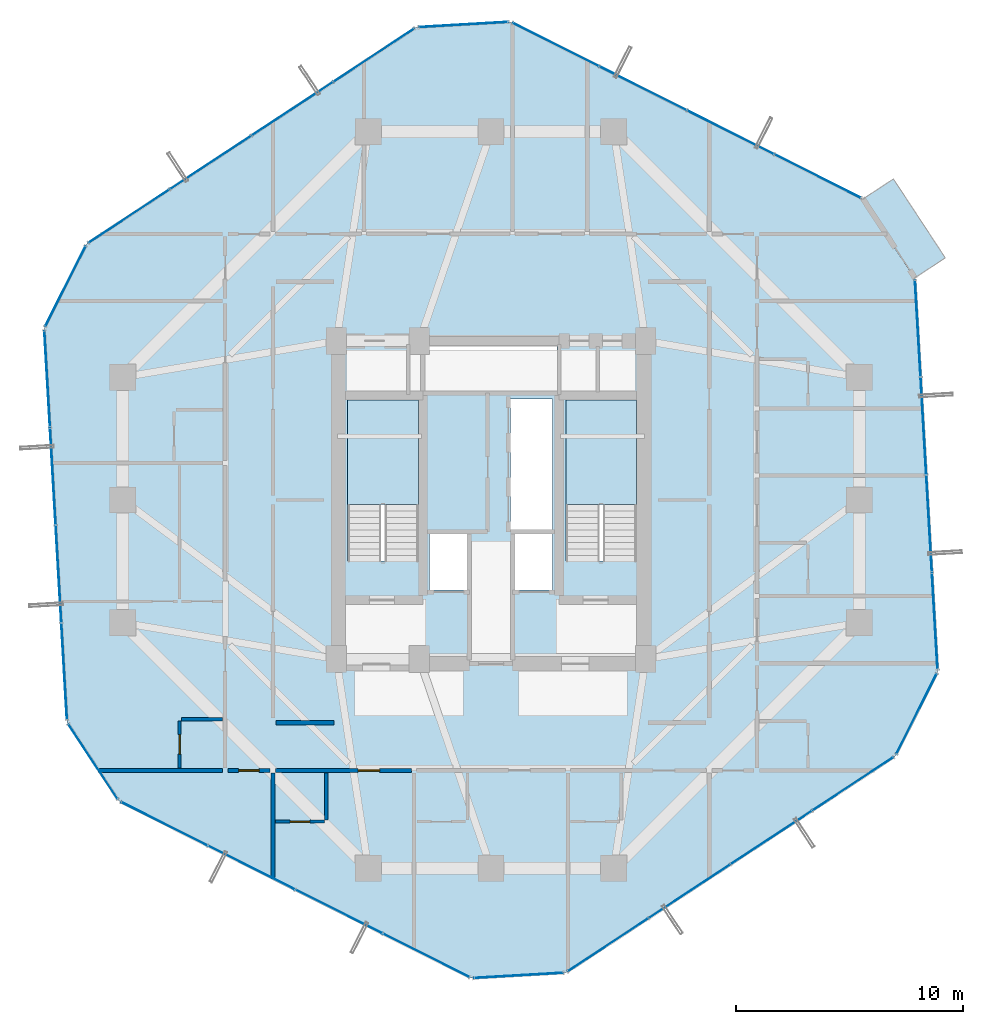
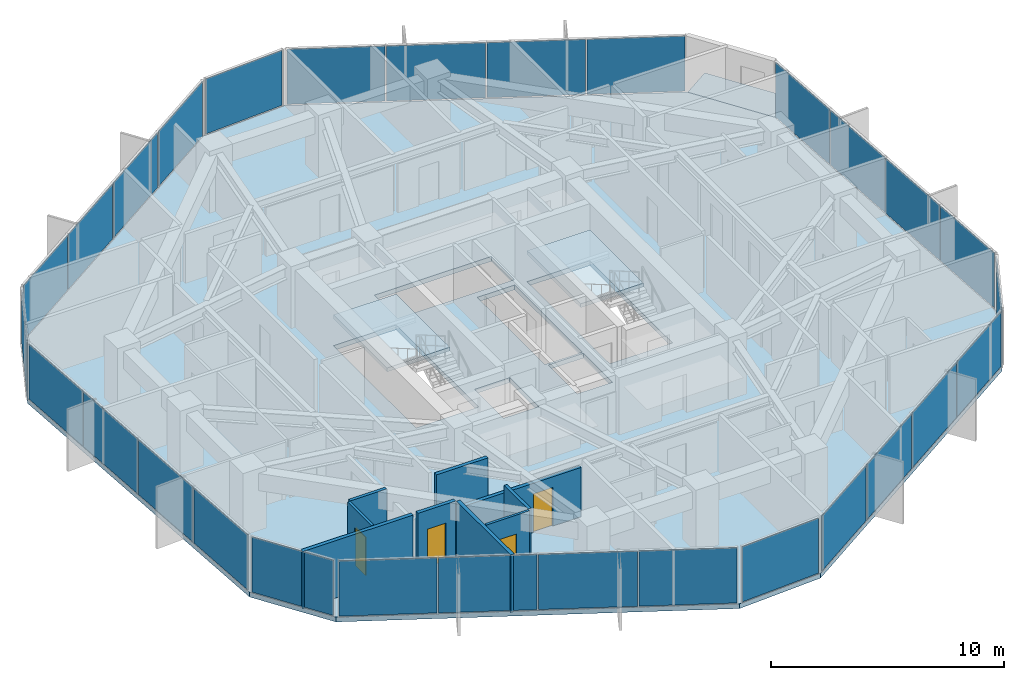
# One storey, part 27 of 33: 29 plates, 9 walls, 4 doors, 4 slabs, 4 openings, 13 elements without a shape of their own.
"""IFC4 building model written with IfcOpenShell, lengths in metres."""

from ifc_helpers import new_model, si_unit, direction, frame, frame_2d, origin, origin_2d, place, context, subcontext, project, spatial, polyline, rectangle, outline, extrude, source, transform, mapped, material, layer, layer_set, type_object, element, fill, aggregate, save


model = new_model("IFC4")

# Units and contexts
model_context = context("Model", 3, precision=1e-05, world=origin(), true_north=direction((0.0, 1.0)))
body_context = subcontext(model_context, "Body", "Model", "MODEL_VIEW")
ifc_project = project(units=[si_unit("LENGTHUNIT", "METRE"), si_unit("AREAUNIT", "SQUARE_METRE"), si_unit("VOLUMEUNIT", "CUBIC_METRE"), si_unit("PLANEANGLEUNIT", "RADIAN"), si_unit("MASSUNIT", "GRAM", prefix="KILO")], contexts=[model_context])

# Site, building, storey
site_placement = place(None, origin())
site = spatial("IfcSite", under=ifc_project, at=site_placement, CompositionType="ELEMENT")
building_placement = place(site_placement, origin())
building = spatial("IfcBuilding", under=site, at=building_placement, Name="Veraguas Prism Commons", CompositionType="ELEMENT")
storey_placement = place(building_placement, frame((0.0, 0.0, 139.25)))
storey = spatial("IfcBuildingStorey", under=building, at=storey_placement, Name="L39", CompositionType="ELEMENT", Elevation=139.25)

# Stair, slab
ifc_material_1 = material(Name="Precast concrete C45/55", Category="concrete")
stair_type = type_object("IfcStairType", Name="Dogleg Core Stair 1480W 20R 05", PredefinedType="HALF_TURN_STAIR", material=ifc_material_1)
stair_1_placement = place(storey_placement, origin())
stair_1 = element("IfcStair", 1, at=stair_1_placement, inside=storey, type_object=stair_type, Name="Protected Exit Stair ST-01 L39", PredefinedType="HALF_TURN_STAIR")
ifc_layer_1 = layer(ifc_material_1, 0.199951171875, Name="Precast Stair and Ramp Landing Slab 200", Category="concrete")
ifc_layer_set_1 = layer_set([ifc_layer_1], Name="Precast concrete C45/55")
slab_type_1 = type_object("IfcSlabType", Name="Precast Stair and Ramp Landing Slab 200", PredefinedType="LANDING", material=ifc_layer_set_1)
slab_1_placement = place(storey_placement, frame((0.0, 0.0, 1.425048828125)))
slab_1 = element("IfcSlab", 2, at=slab_1_placement, type_object=slab_type_1, Name="ST-05 Landing 1", PredefinedType="LANDING", context=body_context, shape_type="SweptSolid", body=[
    extrude(outline(polyline([(20.800048828125, 23.800048828125), (20.800048828125, 28.39990234375), (17.68994140625, 28.39990234375), (17.68994140625, 23.800048828125), (20.800048828125, 23.800048828125)])), origin(), (0.0, 0.0, 1.0), 0.199951171875),
])
aggregate(stair_1, [slab_1])

stair_2_placement = place(storey_placement, origin())
stair_2 = element("IfcStair", 3, at=stair_2_placement, inside=storey, type_object=stair_type, Name="Protected Exit Stair ST-02 L39", PredefinedType="HALF_TURN_STAIR")
slab_2_placement = place(storey_placement, frame((0.0, 0.0, 1.425048828125)))
slab_2 = element("IfcSlab", 4, at=slab_2_placement, type_object=slab_type_1, Name="ST-05 Landing 1", PredefinedType="LANDING", context=body_context, shape_type="SweptSolid", body=[
    extrude(outline(polyline([(30.39990234375, 23.800048828125), (30.39990234375, 28.39990234375), (27.2900390625, 28.39990234375), (27.2900390625, 23.800048828125), (30.39990234375, 23.800048828125)])), origin(), (0.0, 0.0, 1.0), 0.199951171875),
])
aggregate(stair_2, [slab_2])

# Slabs
ifc_material_2 = material(Name="Concrete C45/55", Category="concrete")
ifc_layer_2 = layer(ifc_material_2, 0.219970703125, Name="Recessed Loggia and Terrace Slab RC 220", Category="concrete")
ifc_layer_set_2 = layer_set([ifc_layer_2], Name="Concrete C45/55")
slab_type_2 = type_object("IfcSlabType", Name="Recessed Loggia and Terrace Slab RC 220", PredefinedType="FLOOR", material=ifc_layer_set_2)
slab_3_placement = place(storey_placement, frame((0.0, 0.0, -0.219970703125)))
element("IfcSlab", 5, at=slab_3_placement, inside=storey, type_object=slab_type_2, Name="Recessed Corner Loggia L39-C1", PredefinedType="FLOOR", context=body_context, shape_type="SweptSolid", body=[
    extrude(outline(polyline([(42.631103515625, 33.762451171875), (43.98486328125, 34.65234375), (41.703369140625, 38.122802734375), (40.349609375, 37.23291015625), (42.631103515625, 33.762451171875)])), origin(), (0.0, 0.0, 1.0), 0.219970703125),
])
ifc_layer_3 = layer(ifc_material_2, 0.25, Name="Tower Lower Residential Floor Slab RC 250", Category="concrete")
ifc_layer_set_3 = layer_set([ifc_layer_3], Name="Concrete C45/55")
slab_type_3 = type_object("IfcSlabType", Name="Tower Lower Residential Floor Slab RC 250", PredefinedType="FLOOR", material=ifc_layer_set_3)
slab_4_placement = place(storey_placement, frame((0.0, 0.0, -0.25)))
element("IfcSlab", 6, at=slab_4_placement, inside=storey, type_object=slab_type_3, Name="Tower Floor Slab L39", PredefinedType="FLOOR", context=body_context, shape_type="SweptSolid", body=[
    extrude(outline(polyline([(42.647705078125, 33.7734375), (40.366455078125, 37.243896484375), (24.859619140625, 45.0361328125), (20.713623046875, 44.795654296875), (6.2119140625, 35.2626953125), (4.34716796875, 31.5517578125), (5.352294921875, 14.2265625), (7.633544921875, 10.756103515625), (23.140380859375, 2.9638671875), (27.286376953125, 3.204345703125), (41.7880859375, 12.7373046875), (43.65283203125, 16.4482421875), (42.647705078125, 33.7734375)]), holes=[polyline([(20.800048828125, 21.31005859375), (20.800048828125, 28.39990234375), (17.68994140625, 28.39990234375), (17.68994140625, 21.31005859375), (20.800048828125, 21.31005859375)]), polyline([(30.39990234375, 21.31005859375), (30.39990234375, 28.39990234375), (27.2900390625, 28.39990234375), (27.2900390625, 21.31005859375), (30.39990234375, 21.31005859375)]), polyline([(24.85009765625, 22.64990234375), (26.699951171875, 22.64990234375), (26.699951171875, 28.449951171875), (24.85009765625, 28.449951171875), (24.85009765625, 22.64990234375)]), polyline([(21.10009765625, 28.800048828125), (26.89990234375, 28.800048828125), (26.89990234375, 30.800048828125), (21.10009765625, 30.800048828125), (21.10009765625, 28.800048828125)]), polyline([(21.300048828125, 20.050048828125), (23.050048828125, 20.050048828125), (23.050048828125, 22.550048828125), (21.300048828125, 22.550048828125), (21.300048828125, 20.050048828125)]), polyline([(24.949951171875, 20.050048828125), (26.699951171875, 20.050048828125), (26.699951171875, 22.550048828125), (24.949951171875, 22.550048828125), (24.949951171875, 20.050048828125)])]), origin(), (0.0, 0.0, 1.0), 0.25),
])

# Curtain wall, plates
ifc_material_3 = material(Name="Anodised aluminium EN AW-6063 T6", Category="aluminium")
ifc_layer_4 = layer(ifc_material_3, 0.169921875, Name="Unitised Flush Curtain Wall Zone 2", Category="aluminium")
ifc_layer_set_4 = layer_set([ifc_layer_4], Name="Anodised aluminium EN AW-6063 T6")
curtain_wall_type = type_object("IfcCurtainWallType", Name="Unitised Flush Curtain Wall Zone 2", PredefinedType="NOTDEFINED", material=ifc_layer_set_4)
curtain_wall_1_placement = place(storey_placement, origin())
curtain_wall_1 = element("IfcCurtainWall", 7, at=curtain_wall_1_placement, inside=storey, type_object=curtain_wall_type, Name="Tower Facade Curtain Wall L39-F2", PredefinedType="NOTDEFINED")
ifc_material_4 = material(Name="Laminated low-e glass", Category="glass")
ifc_layer_5 = layer(ifc_material_4, 0.028076171875, Name="Unitised Double Low-E Glazed Panel 28", Category="glass")
ifc_layer_set_5 = layer_set([ifc_layer_5], Name="Laminated low-e glass")
plate_type = type_object("IfcPlateType", Name="Unitised Double Low-E Glazed Panel 28", PredefinedType="CURTAIN_PANEL", material=ifc_layer_set_5)
shared_shape_1 = source(origin(), body_context, "Body", "SweptSolid", [
    extrude(rectangle(XDim=4.218505859375, YDim=0.028076171875, at=origin_2d()), origin(), (0.0, 0.0, 1.0), 2.889892578125),
])
plate_1_placement = place(storey_placement, frame((18.850830078125, 43.571044921875, 0.05517578125), z_axis=(0.0, 0.0, 1.0), x_axis=(-0.835619500254, -0.54930870264, 0.0)))
plate_1 = element("IfcPlate", 8, at=plate_1_placement, type_object=plate_type, Name="CW-Z2 Panel 1.1", PredefinedType="CURTAIN_PANEL", context=body_context, shape_type="MappedRepresentation", body=[
    mapped(shared_shape_1, transform((0.0, 0.0, 0.0), scale=1.0)),
])
plate_2_placement = place(storey_placement, frame((8.07470703125, 36.4873046875, 0.05517578125), z_axis=(0.0, 0.0, 1.0), x_axis=(-0.835619500254, -0.54930870264, 0.0)))
plate_2 = element("IfcPlate", 9, at=plate_2_placement, type_object=plate_type, Name="CW-Z2 Panel 4.1", PredefinedType="CURTAIN_PANEL", context=body_context, shape_type="MappedRepresentation", body=[
    mapped(shared_shape_1, transform((0.0, 0.0, 0.0), scale=1.0)),
])

curtain_wall_2_placement = place(storey_placement, origin())
curtain_wall_2 = element("IfcCurtainWall", 10, at=curtain_wall_2_placement, inside=storey, type_object=curtain_wall_type, Name="Tower Facade Curtain Wall L39-F3", PredefinedType="NOTDEFINED")
plate_3_placement = place(storey_placement, frame((4.476318359375, 29.326171875, 0.05517578125), z_axis=(0.0, 0.0, 1.0), x_axis=(0.05790728328, -0.998321965371, 0.0)))
plate_3 = element("IfcPlate", 11, at=plate_3_placement, type_object=plate_type, Name="CW-Z2 Panel 1.1", PredefinedType="CURTAIN_PANEL", context=body_context, shape_type="MappedRepresentation", body=[
    mapped(shared_shape_1, transform((0.0, 0.0, 0.0), scale=1.0)),
])
plate_4_placement = place(storey_placement, frame((5.22314453125, 16.4521484375, 0.05517578125), z_axis=(0.0, 0.0, 1.0), x_axis=(0.05790728328, -0.998321965371, 0.0)))
plate_4 = element("IfcPlate", 12, at=plate_4_placement, type_object=plate_type, Name="CW-Z2 Panel 4.1", PredefinedType="CURTAIN_PANEL", context=body_context, shape_type="MappedRepresentation", body=[
    mapped(shared_shape_1, transform((0.0, 0.0, 0.0), scale=1.0)),
])

curtain_wall_3_placement = place(storey_placement, origin())
curtain_wall_3 = element("IfcCurtainWall", 13, at=curtain_wall_3_placement, inside=storey, type_object=curtain_wall_type, Name="Tower Facade Curtain Wall L39-F5", PredefinedType="NOTDEFINED")
plate_5_placement = place(storey_placement, frame((29.149169921875, 4.428955078125, 0.05517578125), z_axis=(0.0, 0.0, 1.0), x_axis=(0.835619500254, 0.54930870264, 0.0)))
plate_5 = element("IfcPlate", 14, at=plate_5_placement, type_object=plate_type, Name="CW-Z2 Panel 1.1", PredefinedType="CURTAIN_PANEL", context=body_context, shape_type="MappedRepresentation", body=[
    mapped(shared_shape_1, transform((0.0, 0.0, 0.0), scale=1.0)),
])
plate_6_placement = place(storey_placement, frame((39.92529296875, 11.5126953125, 0.05517578125), z_axis=(0.0, 0.0, 1.0), x_axis=(0.835619500254, 0.54930870264, 0.0)))
plate_6 = element("IfcPlate", 15, at=plate_6_placement, type_object=plate_type, Name="CW-Z2 Panel 4.1", PredefinedType="CURTAIN_PANEL", context=body_context, shape_type="MappedRepresentation", body=[
    mapped(shared_shape_1, transform((0.0, 0.0, 0.0), scale=1.0)),
])

curtain_wall_4_placement = place(storey_placement, origin())
curtain_wall_4 = element("IfcCurtainWall", 16, at=curtain_wall_4_placement, inside=storey, type_object=curtain_wall_type, Name="Tower Facade Curtain Wall L39-F6", PredefinedType="NOTDEFINED")
plate_7_placement = place(storey_placement, frame((43.523681640625, 18.673828125, 0.05517578125), z_axis=(0.0, 0.0, 1.0), x_axis=(-0.05790728328, 0.998321965371, 0.0)))
plate_7 = element("IfcPlate", 17, at=plate_7_placement, type_object=plate_type, Name="CW-Z2 Panel 1.1", PredefinedType="CURTAIN_PANEL", context=body_context, shape_type="MappedRepresentation", body=[
    mapped(shared_shape_1, transform((0.0, 0.0, 0.0), scale=1.0)),
])
plate_8_placement = place(storey_placement, frame((42.77685546875, 31.5478515625, 0.05517578125), z_axis=(0.0, 0.0, 1.0), x_axis=(-0.05790728328, 0.998321965371, 0.0)))
plate_8 = element("IfcPlate", 18, at=plate_8_placement, type_object=plate_type, Name="CW-Z2 Panel 4.1", PredefinedType="CURTAIN_PANEL", context=body_context, shape_type="MappedRepresentation", body=[
    mapped(shared_shape_1, transform((0.0, 0.0, 0.0), scale=1.0)),
])

curtain_wall_5_placement = place(storey_placement, origin())
curtain_wall_5 = element("IfcCurtainWall", 19, at=curtain_wall_5_placement, inside=storey, type_object=curtain_wall_type, Name="Tower Facade Curtain Wall L39-F1", PredefinedType="NOTDEFINED")
shared_shape_2 = source(origin(), body_context, "Body", "SweptSolid", [
    extrude(rectangle(XDim=4.24853515625, YDim=0.028076171875, at=origin_2d()), origin(), (0.0, 0.0, 1.0), 2.889892578125),
])
plate_9_placement = place(storey_placement, frame((34.5380859375, 40.1728515625, 0.05517578125), z_axis=(0.0, 0.0, 1.0), x_axis=(-0.893525824808, 0.449011804301, 0.0)))
plate_9 = element("IfcPlate", 20, at=plate_9_placement, type_object=plate_type, Name="CW-Z2 Panel 2.1", PredefinedType="CURTAIN_PANEL", context=body_context, shape_type="MappedRepresentation", body=[
    mapped(shared_shape_2, transform((0.0, 0.0, 0.0), scale=1.0)),
])
plate_10_placement = place(storey_placement, frame((30.688232421875, 42.107421875, 0.05517578125), z_axis=(0.0, 0.0, 1.0), x_axis=(-0.893525824808, 0.449011804301, 0.0)))
plate_10 = element("IfcPlate", 21, at=plate_10_placement, type_object=plate_type, Name="CW-Z2 Panel 3.1", PredefinedType="CURTAIN_PANEL", context=body_context, shape_type="MappedRepresentation", body=[
    mapped(shared_shape_2, transform((0.0, 0.0, 0.0), scale=1.0)),
])

# Plate
plate_11_placement = place(storey_placement, frame((15.262939453125, 41.212646484375, 0.05517578125), z_axis=(0.0, 0.0, 1.0), x_axis=(-0.835619500254, -0.54930870264, 0.0)))
plate_11 = element("IfcPlate", 22, at=plate_11_placement, type_object=plate_type, Name="CW-Z2 Panel 2.1", PredefinedType="CURTAIN_PANEL", context=body_context, shape_type="MappedRepresentation", body=[
    mapped(shared_shape_2, transform((0.0, 0.0, 0.0), scale=1.0)),
])

plate_12_placement = place(storey_placement, frame((11.66259765625, 38.845703125, 0.05517578125), z_axis=(0.0, 0.0, 1.0), x_axis=(-0.835619500254, -0.54930870264, 0.0)))
plate_12 = element("IfcPlate", 23, at=plate_12_placement, type_object=plate_type, Name="CW-Z2 Panel 3.1", PredefinedType="CURTAIN_PANEL", context=body_context, shape_type="MappedRepresentation", body=[
    mapped(shared_shape_2, transform((0.0, 0.0, 0.0), scale=1.0)),
])

aggregate(curtain_wall_1, [plate_1, plate_11, plate_12, plate_2])

plate_13_placement = place(storey_placement, frame((4.724853515625, 25.039794921875, 0.05517578125), z_axis=(0.0, 0.0, 1.0), x_axis=(0.05790728328, -0.998321965371, 0.0)))
plate_13 = element("IfcPlate", 24, at=plate_13_placement, type_object=plate_type, Name="CW-Z2 Panel 2.1", PredefinedType="CURTAIN_PANEL", context=body_context, shape_type="MappedRepresentation", body=[
    mapped(shared_shape_2, transform((0.0, 0.0, 0.0), scale=1.0)),
])

plate_14_placement = place(storey_placement, frame((4.974365234375, 20.738525390625, 0.05517578125), z_axis=(0.0, 0.0, 1.0), x_axis=(0.05790728328, -0.998321965371, 0.0)))
plate_14 = element("IfcPlate", 25, at=plate_14_placement, type_object=plate_type, Name="CW-Z2 Panel 3.1", PredefinedType="CURTAIN_PANEL", context=body_context, shape_type="MappedRepresentation", body=[
    mapped(shared_shape_2, transform((0.0, 0.0, 0.0), scale=1.0)),
])

aggregate(curtain_wall_2, [plate_3, plate_13, plate_14, plate_4])

# Curtain wall, plates
curtain_wall_6_placement = place(storey_placement, origin())
curtain_wall_6 = element("IfcCurtainWall", 26, at=curtain_wall_6_placement, inside=storey, type_object=curtain_wall_type, Name="Tower Facade Curtain Wall L39-F4", PredefinedType="NOTDEFINED")
plate_15_placement = place(storey_placement, frame((13.4619140625, 7.8271484375, 0.05517578125), z_axis=(0.0, 0.0, 1.0), x_axis=(0.893525824808, -0.449011804301, 0.0)))
plate_15 = element("IfcPlate", 27, at=plate_15_placement, type_object=plate_type, Name="CW-Z2 Panel 2.1", PredefinedType="CURTAIN_PANEL", context=body_context, shape_type="MappedRepresentation", body=[
    mapped(shared_shape_2, transform((0.0, 0.0, 0.0), scale=1.0)),
])
plate_16_placement = place(storey_placement, frame((17.311767578125, 5.892578125, 0.05517578125), z_axis=(0.0, 0.0, 1.0), x_axis=(0.893525824808, -0.449011804301, 0.0)))
plate_16 = element("IfcPlate", 28, at=plate_16_placement, type_object=plate_type, Name="CW-Z2 Panel 3.1", PredefinedType="CURTAIN_PANEL", context=body_context, shape_type="MappedRepresentation", body=[
    mapped(shared_shape_2, transform((0.0, 0.0, 0.0), scale=1.0)),
])

# Plate
plate_17_placement = place(storey_placement, frame((32.737060546875, 6.787353515625, 0.05517578125), z_axis=(0.0, 0.0, 1.0), x_axis=(0.835619500254, 0.54930870264, 0.0)))
plate_17 = element("IfcPlate", 29, at=plate_17_placement, type_object=plate_type, Name="CW-Z2 Panel 2.1", PredefinedType="CURTAIN_PANEL", context=body_context, shape_type="MappedRepresentation", body=[
    mapped(shared_shape_2, transform((0.0, 0.0, 0.0), scale=1.0)),
])

plate_18_placement = place(storey_placement, frame((36.33740234375, 9.154296875, 0.05517578125), z_axis=(0.0, 0.0, 1.0), x_axis=(0.835619500254, 0.54930870264, 0.0)))
plate_18 = element("IfcPlate", 30, at=plate_18_placement, type_object=plate_type, Name="CW-Z2 Panel 3.1", PredefinedType="CURTAIN_PANEL", context=body_context, shape_type="MappedRepresentation", body=[
    mapped(shared_shape_2, transform((0.0, 0.0, 0.0), scale=1.0)),
])

aggregate(curtain_wall_3, [plate_5, plate_17, plate_18, plate_6])

plate_19_placement = place(storey_placement, frame((43.275146484375, 22.960205078125, 0.05517578125), z_axis=(0.0, 0.0, 1.0), x_axis=(-0.05790728328, 0.998321965371, 0.0)))
plate_19 = element("IfcPlate", 31, at=plate_19_placement, type_object=plate_type, Name="CW-Z2 Panel 2.1", PredefinedType="CURTAIN_PANEL", context=body_context, shape_type="MappedRepresentation", body=[
    mapped(shared_shape_2, transform((0.0, 0.0, 0.0), scale=1.0)),
])

plate_20_placement = place(storey_placement, frame((43.025634765625, 27.261474609375, 0.05517578125), z_axis=(0.0, 0.0, 1.0), x_axis=(-0.05790728328, 0.998321965371, 0.0)))
plate_20 = element("IfcPlate", 32, at=plate_20_placement, type_object=plate_type, Name="CW-Z2 Panel 3.1", PredefinedType="CURTAIN_PANEL", context=body_context, shape_type="MappedRepresentation", body=[
    mapped(shared_shape_2, transform((0.0, 0.0, 0.0), scale=1.0)),
])

aggregate(curtain_wall_4, [plate_7, plate_19, plate_20, plate_8])

# Curtain wall, plate
curtain_wall_7_placement = place(storey_placement, origin())
curtain_wall_7 = element("IfcCurtainWall", 33, at=curtain_wall_7_placement, inside=storey, type_object=curtain_wall_type, Name="Chamfer Curtain Wall L39-C2", PredefinedType="NOTDEFINED")
shared_shape_3 = source(origin(), body_context, "Body", "SweptSolid", [
    extrude(rectangle(XDim=3.9130859375, YDim=0.028076171875, at=origin_2d()), origin(), (0.0, 0.0, 1.0), 2.889892578125),
])
plate_21_placement = place(storey_placement, frame((22.78662109375, 44.916015625, 0.05517578125), z_axis=(0.0, 0.0, 1.0), x_axis=(-0.99832257172, -0.057896828874, 0.0)))
plate_21 = element("IfcPlate", 34, at=plate_21_placement, type_object=plate_type, Name="CW-Z2 Panel 1.1", PredefinedType="CURTAIN_PANEL", context=body_context, shape_type="MappedRepresentation", body=[
    mapped(shared_shape_3, transform((0.0, 0.0, 0.0), scale=1.0)),
])
aggregate(curtain_wall_7, [plate_21])

curtain_wall_8_placement = place(storey_placement, origin())
curtain_wall_8 = element("IfcCurtainWall", 35, at=curtain_wall_8_placement, inside=storey, type_object=curtain_wall_type, Name="Chamfer Curtain Wall L39-C4", PredefinedType="NOTDEFINED")
plate_22_placement = place(storey_placement, frame((6.492919921875, 12.4912109375, 0.05517578125), z_axis=(0.0, 0.0, 1.0), x_axis=(0.549298493581, -0.835626211263, 0.0)))
plate_22 = element("IfcPlate", 36, at=plate_22_placement, type_object=plate_type, Name="CW-Z2 Panel 1.1", PredefinedType="CURTAIN_PANEL", context=body_context, shape_type="MappedRepresentation", body=[
    mapped(shared_shape_3, transform((0.0, 0.0, 0.0), scale=1.0)),
])
aggregate(curtain_wall_8, [plate_22])

curtain_wall_9_placement = place(storey_placement, origin())
curtain_wall_9 = element("IfcCurtainWall", 37, at=curtain_wall_9_placement, inside=storey, type_object=curtain_wall_type, Name="Chamfer Curtain Wall L39-C5", PredefinedType="NOTDEFINED")
plate_23_placement = place(storey_placement, frame((25.21337890625, 3.083984375, 0.05517578125), z_axis=(0.0, 0.0, 1.0), x_axis=(0.99832257172, 0.057896828874, 0.0)))
plate_23 = element("IfcPlate", 38, at=plate_23_placement, type_object=plate_type, Name="CW-Z2 Panel 1.1", PredefinedType="CURTAIN_PANEL", context=body_context, shape_type="MappedRepresentation", body=[
    mapped(shared_shape_3, transform((0.0, 0.0, 0.0), scale=1.0)),
])
aggregate(curtain_wall_9, [plate_23])

curtain_wall_10_placement = place(storey_placement, origin())
curtain_wall_10 = element("IfcCurtainWall", 39, at=curtain_wall_10_placement, inside=storey, type_object=curtain_wall_type, Name="Chamfer Curtain Wall L39-C3", PredefinedType="NOTDEFINED")
shared_shape_4 = source(origin(), body_context, "Body", "SweptSolid", [
    extrude(rectangle(XDim=3.913330078125, YDim=0.028076171875, at=origin_2d()), origin(), (0.0, 0.0, 1.0), 2.889892578125),
])
plate_24_placement = place(storey_placement, frame((5.279541015625, 33.4072265625, 0.05517578125), z_axis=(0.0, 0.0, 1.0), x_axis=(-0.449018042277, -0.893522690092, 0.0)))
plate_24 = element("IfcPlate", 40, at=plate_24_placement, type_object=plate_type, Name="CW-Z2 Panel 1.1", PredefinedType="CURTAIN_PANEL", context=body_context, shape_type="MappedRepresentation", body=[
    mapped(shared_shape_4, transform((0.0, 0.0, 0.0), scale=1.0)),
])
aggregate(curtain_wall_10, [plate_24])

curtain_wall_11_placement = place(storey_placement, origin())
curtain_wall_11 = element("IfcCurtainWall", 41, at=curtain_wall_11_placement, inside=storey, type_object=curtain_wall_type, Name="Chamfer Curtain Wall L39-C6", PredefinedType="NOTDEFINED")
plate_25_placement = place(storey_placement, frame((42.720458984375, 14.5927734375, 0.05517578125), z_axis=(0.0, 0.0, 1.0), x_axis=(0.449018042277, 0.893522690092, 0.0)))
plate_25 = element("IfcPlate", 42, at=plate_25_placement, type_object=plate_type, Name="CW-Z2 Panel 1.1", PredefinedType="CURTAIN_PANEL", context=body_context, shape_type="MappedRepresentation", body=[
    mapped(shared_shape_4, transform((0.0, 0.0, 0.0), scale=1.0)),
])
aggregate(curtain_wall_11, [plate_25])

# Plate
shared_shape_5 = source(origin(), body_context, "Body", "SweptSolid", [
    extrude(rectangle(XDim=4.21875, YDim=0.028076171875, at=origin_2d()), origin(), (0.0, 0.0, 1.0), 2.889892578125),
])
plate_26_placement = place(storey_placement, frame((38.37451171875, 38.244873046875, 0.05517578125), z_axis=(0.0, 0.0, 1.0), x_axis=(-0.893525824808, 0.449011804301, 0.0)))
plate_26 = element("IfcPlate", 43, at=plate_26_placement, type_object=plate_type, Name="CW-Z2 Panel 1.1", PredefinedType="CURTAIN_PANEL", context=body_context, shape_type="MappedRepresentation", body=[
    mapped(shared_shape_5, transform((0.0, 0.0, 0.0), scale=1.0)),
])

plate_27_placement = place(storey_placement, frame((26.8515625, 44.03515625, 0.05517578125), z_axis=(0.0, 0.0, 1.0), x_axis=(-0.893525824808, 0.449011804301, 0.0)))
plate_27 = element("IfcPlate", 44, at=plate_27_placement, type_object=plate_type, Name="CW-Z2 Panel 4.1", PredefinedType="CURTAIN_PANEL", context=body_context, shape_type="MappedRepresentation", body=[
    mapped(shared_shape_5, transform((0.0, 0.0, 0.0), scale=1.0)),
])

aggregate(curtain_wall_5, [plate_26, plate_9, plate_10, plate_27])

plate_28_placement = place(storey_placement, frame((9.62548828125, 9.755126953125, 0.05517578125), z_axis=(0.0, 0.0, 1.0), x_axis=(0.893525824808, -0.449011804301, 0.0)))
plate_28 = element("IfcPlate", 45, at=plate_28_placement, type_object=plate_type, Name="CW-Z2 Panel 1.1", PredefinedType="CURTAIN_PANEL", context=body_context, shape_type="MappedRepresentation", body=[
    mapped(shared_shape_5, transform((0.0, 0.0, 0.0), scale=1.0)),
])

plate_29_placement = place(storey_placement, frame((21.1484375, 3.96484375, 0.05517578125), z_axis=(0.0, 0.0, 1.0), x_axis=(0.893525824808, -0.449011804301, 0.0)))
plate_29 = element("IfcPlate", 46, at=plate_29_placement, type_object=plate_type, Name="CW-Z2 Panel 4.1", PredefinedType="CURTAIN_PANEL", context=body_context, shape_type="MappedRepresentation", body=[
    mapped(shared_shape_5, transform((0.0, 0.0, 0.0), scale=1.0)),
])

aggregate(curtain_wall_6, [plate_28, plate_15, plate_16, plate_29])

# Walls
ifc_material_5 = material(Name="Autoclaved aerated masonry block 10 MPa", Category="masonry")
ifc_layer_6 = layer(ifc_material_5, 0.179931640625, Name="Corridor and Inter-Tenancy Partition 180", Category="masonry")
ifc_layer_set_6 = layer_set([ifc_layer_6], Name="Autoclaved aerated masonry block 10 MPa")
wall_type_1 = type_object("IfcWallType", Name="Corridor and Inter-Tenancy Partition 180", PredefinedType="PARTITIONING", material=ifc_layer_set_6)
wall_1_placement = place(storey_placement, frame((14.550048828125, 14.199951171875, 0.0), z_axis=(0.0, 0.0, 1.0), x_axis=(1.0, 0.0, 0.0)))
element("IfcWall", 47, at=wall_1_placement, inside=storey, type_object=wall_type_1, Name="WL-L39-IRWS", PredefinedType="PARTITIONING", context=body_context, shape_type="SweptSolid", body=[
    extrude(rectangle(XDim=2.550048828125, YDim=0.179931640625, at=frame_2d((1.27490234375, 0.0))), origin(), (0.0, 0.0, 1.0), 3.0),
])
wall_2_placement = place(storey_placement, frame((14.39990234375, 11.97998046875, 0.0), z_axis=(0.0, 0.0, 1.0), x_axis=(0.0, -1.0, 0.0)))
element("IfcWall", 48, at=wall_2_placement, inside=storey, type_object=wall_type_1, Name="WL-L39-PT001", PredefinedType="PARTITIONING", context=body_context, shape_type="SweptSolid", body=[
    extrude(rectangle(XDim=4.65771484375, YDim=0.179931640625, at=frame_2d((2.328857421875, 0.0))), origin(), (0.0, 0.0, 1.0), 3.0),
])

# Wall, opening, door
wall_3_placement = place(storey_placement, frame((14.510009765625, 12.10009765625, 0.0), z_axis=(0.0, 0.0, 1.0), x_axis=(1.0, 0.0, 0.0)))
wall_3 = element("IfcWall", 49, at=wall_3_placement, inside=storey, type_object=wall_type_1, Name="WL-L39-PT003", PredefinedType="PARTITIONING", context=body_context, shape_type="SweptSolid", body=[
    extrude(rectangle(XDim=5.99609375, YDim=0.179931640625, at=frame_2d((2.998046875, 0.0))), origin(), (0.0, 0.0, 1.0), 2.580078125),
])
opening_1_placement = place(wall_3_placement, frame((3.637939453125, 0.0, 0.0)))
opening_1 = element("IfcOpeningElement", 50, at=opening_1_placement, cuts=wall_3, Name="Opening DR-01", PredefinedType="OPENING", context=body_context, shape_type="SweptSolid", body=[
    extrude(rectangle(XDim=0.949951171875, YDim=2.02001953125, at=frame_2d((0.47509765625, 1.010009765625))), frame((0.0, 0.099853515625, 0.0), z_axis=(0.0, -1.0, 0.0), x_axis=(1.0, 0.0, 0.0)), (0.0, 0.0, 1.0), 0.199951171875),
])
door_type_1 = type_object("IfcDoorType", Name="Apartment Entrance Fire Door 950x2020", OperationType="NOTDEFINED", PredefinedType="DOOR", material=ifc_material_3)
shared_shape_6 = source(origin(), body_context, "Body", "SweptSolid", [
    extrude(rectangle(XDim=0.949951171875, YDim=2.02001953125, at=frame_2d((0.47509765625, 1.010009765625))), frame((0.0, 0.02490234375, 0.0), z_axis=(0.0, -1.0, 0.0), x_axis=(1.0, 0.0, 0.0)), (0.0, 0.0, 1.0), 0.050048828125),
])
door_1_placement = place(opening_1_placement, origin())
door_1 = element("IfcDoor", 51, at=door_1_placement, inside=storey, type_object=door_type_1, Name="Studio 39A Entrance Door", OperationType="SINGLE_SWING_LEFT", OverallHeight=2.02001953125, OverallWidth=0.949951171875, PredefinedType="DOOR", context=body_context, shape_type="MappedRepresentation", body=[
    mapped(shared_shape_6, transform((0.0, 0.0, 0.0), scale=1.0)),
])
fill(opening_1, door_1)

# Wall
wall_4_placement = place(storey_placement, frame((12.179931640625, 12.10009765625, 0.0), z_axis=(0.0, 0.0, 1.0), x_axis=(-1.0, 0.0, 0.0)))
element("IfcWall", 52, at=wall_4_placement, inside=storey, type_object=wall_type_1, Name="WL-L39-PT023", PredefinedType="PARTITIONING", context=body_context, shape_type="SweptSolid", body=[
    extrude(rectangle(XDim=5.4658203125, YDim=0.179931640625, at=frame_2d((2.73291015625, 0.0))), origin(), (0.0, 0.0, 1.0), 3.0),
])

# Wall, opening, door
wall_5_placement = place(storey_placement, frame((12.419921875, 12.10009765625, 0.0), z_axis=(0.0, 0.0, 1.0), x_axis=(1.0, 0.0, 0.0)))
wall_5 = element("IfcWall", 53, at=wall_5_placement, inside=storey, type_object=wall_type_1, Name="WL-L39-PT056", PredefinedType="PARTITIONING", context=body_context, shape_type="SweptSolid", body=[
    extrude(rectangle(XDim=1.860107421875, YDim=0.179931640625, at=frame_2d((0.93017578125, 0.0))), origin(), (0.0, 0.0, 1.0), 3.0),
])
opening_2_placement = place(wall_5_placement, frame((0.47998046875, 0.0, 0.0)))
opening_2 = element("IfcOpeningElement", 54, at=opening_2_placement, cuts=wall_5, Name="Opening DR-14", PredefinedType="OPENING", context=body_context, shape_type="SweptSolid", body=[
    extrude(rectangle(XDim=0.89990234375, YDim=2.010009765625, at=frame_2d((0.449951171875, 1.0048828125))), frame((0.0, 0.099853515625, 0.0), z_axis=(0.0, -1.0, 0.0), x_axis=(1.0, 0.0, 0.0)), (0.0, 0.0, 1.0), 0.199951171875),
])
ifc_material_6 = material(Name="Steel fire-rated door assembly", Category="steel")
door_type_2 = type_object("IfcDoorType", Name="Core Service Room Fire Door 900x2010", OperationType="NOTDEFINED", PredefinedType="DOOR", material=ifc_material_6)
shared_shape_7 = source(origin(), body_context, "Body", "SweptSolid", [
    extrude(rectangle(XDim=0.89990234375, YDim=2.010009765625, at=frame_2d((0.449951171875, 1.0048828125))), frame((0.0, 0.02490234375, 0.0), z_axis=(0.0, -1.0, 0.0), x_axis=(1.0, 0.0, 0.0)), (0.0, 0.0, 1.0), 0.050048828125),
])
door_2_placement = place(opening_2_placement, origin())
door_2 = element("IfcDoor", 55, at=door_2_placement, inside=storey, type_object=door_type_2, Name="Corner Study SW Door", OperationType="SINGLE_SWING_LEFT", OverallHeight=2.010009765625, OverallWidth=0.89990234375, PredefinedType="DOOR", context=body_context, shape_type="MappedRepresentation", body=[
    mapped(shared_shape_7, transform((0.0, 0.0, 0.0), scale=1.0)),
])
fill(opening_2, door_2)

ifc_material_7 = material(Name="Lightweight acoustic gypsum board")
ifc_layer_7 = layer(ifc_material_7, 0.125, Name="Internal Apartment Room Partition 125")
ifc_layer_set_7 = layer_set([ifc_layer_7], Name="Lightweight acoustic gypsum board")
wall_type_2 = type_object("IfcWallType", Name="Internal Apartment Room Partition 125", PredefinedType="PARTITIONING", material=ifc_layer_set_7)
wall_6_placement = place(storey_placement, frame((14.52001953125, 9.85009765625, 0.0), z_axis=(0.0, 0.0, 1.0), x_axis=(1.0, 0.0, 0.0)))
wall_6 = element("IfcWall", 56, at=wall_6_placement, inside=storey, type_object=wall_type_2, Name="WL-L39-PT005", PredefinedType="PARTITIONING", context=body_context, shape_type="SweptSolid", body=[
    extrude(rectangle(XDim=2.14990234375, YDim=0.125, at=frame_2d((1.074951171875, 0.0))), origin(), (0.0, 0.0, 1.0), 3.0),
])
opening_3_placement = place(wall_6_placement, frame((0.64501953125, 0.0, 0.0)))
opening_3 = element("IfcOpeningElement", 57, at=opening_3_placement, cuts=wall_6, Name="Opening DR-03", PredefinedType="OPENING", context=body_context, shape_type="SweptSolid", body=[
    extrude(rectangle(XDim=0.860107421875, YDim=2.010009765625, at=frame_2d((0.43017578125, 1.0048828125))), frame((0.0, 0.072509765625, 0.0), z_axis=(0.0, -1.0, 0.0), x_axis=(1.0, 0.0, 0.0)), (0.0, 0.0, 1.0), 0.14501953125),
])
ifc_material_8 = material(Name="Timber moisture-resistant leaf", Category="wood")
door_type_3 = type_object("IfcDoorType", Name="Internal Bathroom Door 860x2010", OperationType="NOTDEFINED", PredefinedType="DOOR", material=ifc_material_8)
shared_shape_8 = source(origin(), body_context, "Body", "SweptSolid", [
    extrude(rectangle(XDim=0.860107421875, YDim=2.010009765625, at=frame_2d((0.43017578125, 1.0048828125))), frame((0.0, 0.02490234375, 0.0), z_axis=(0.0, -1.0, 0.0), x_axis=(1.0, 0.0, 0.0)), (0.0, 0.0, 1.0), 0.050048828125),
])
door_3_placement = place(opening_3_placement, origin())
door_3 = element("IfcDoor", 58, at=door_3_placement, inside=storey, type_object=door_type_3, Name="Studio 39A Bathroom Door", OperationType="SINGLE_SWING_RIGHT", OverallHeight=2.010009765625, OverallWidth=0.860107421875, PredefinedType="DOOR", context=body_context, shape_type="MappedRepresentation", body=[
    mapped(shared_shape_8, transform((0.0, 0.0, 0.0), scale=1.0)),
])
fill(opening_3, door_3)

wall_7_placement = place(storey_placement, frame((10.300048828125, 12.219970703125, 0.0), z_axis=(0.0, 0.0, 1.0), x_axis=(0.0, 1.0, 0.0)))
wall_7 = element("IfcWall", 59, at=wall_7_placement, inside=storey, type_object=wall_type_2, Name="WL-L39-PT027", PredefinedType="PARTITIONING", context=body_context, shape_type="SweptSolid", body=[
    extrude(rectangle(XDim=2.050048828125, YDim=0.125, at=frame_2d((1.02490234375, 0.0))), origin(), (0.0, 0.0, 1.0), 3.0),
])
opening_4_placement = place(wall_7_placement, frame((0.594970703125, 0.0, 0.0)))
opening_4 = element("IfcOpeningElement", 60, at=opening_4_placement, cuts=wall_7, Name="Opening DR-03", PredefinedType="OPENING", context=body_context, shape_type="SweptSolid", body=[
    extrude(rectangle(XDim=0.860107421875, YDim=2.010009765625, at=frame_2d((0.43017578125, 1.0048828125))), frame((0.0, 0.072509765625, 0.0), z_axis=(0.0, -1.0, 0.0), x_axis=(1.0, 0.0, 0.0)), (0.0, 0.0, 1.0), 0.14501953125),
])
door_4_placement = place(opening_4_placement, origin())
door_4 = element("IfcDoor", 61, at=door_4_placement, inside=storey, type_object=door_type_3, Name="Flat 39D Bathroom Door", OperationType="SINGLE_SWING_RIGHT", OverallHeight=2.010009765625, OverallWidth=0.860107421875, PredefinedType="DOOR", context=body_context, shape_type="MappedRepresentation", body=[
    mapped(shared_shape_8, transform((0.0, 0.0, 0.0), scale=1.0)),
])
fill(opening_4, door_4)

# Walls
ifc_layer_8 = layer(ifc_material_7, 0.14990234375, Name="Wet Room and Clinic Acoustic Partition 150")
ifc_layer_set_8 = layer_set([ifc_layer_8], Name="Lightweight acoustic gypsum board")
wall_type_3 = type_object("IfcWallType", Name="Wet Room and Clinic Acoustic Partition 150", PredefinedType="PARTITIONING", material=ifc_layer_set_8)
wall_8_placement = place(storey_placement, frame((16.75, 11.97998046875, 0.0), z_axis=(0.0, 0.0, 1.0), x_axis=(0.0, -1.0, 0.0)))
element("IfcWall", 62, at=wall_8_placement, inside=storey, type_object=wall_type_3, Name="WL-L39-PT004", PredefinedType="PARTITIONING", context=body_context, shape_type="SweptSolid", body=[
    extrude(rectangle(XDim=2.050048828125, YDim=0.14990234375, at=frame_2d((1.02490234375, 0.0))), origin(), (0.0, 0.0, 1.0), 3.0),
])
wall_9_placement = place(storey_placement, frame((12.179931640625, 14.35009765625, 0.0), z_axis=(0.0, 0.0, 1.0), x_axis=(-1.0, 0.0, 0.0)))
element("IfcWall", 63, at=wall_9_placement, inside=storey, type_object=wall_type_3, Name="WL-L39-PT026", PredefinedType="PARTITIONING", context=body_context, shape_type="SweptSolid", body=[
    extrude(rectangle(XDim=1.800048828125, YDim=0.14990234375, at=frame_2d((0.89990234375, 0.0))), origin(), (0.0, 0.0, 1.0), 3.0),
])

save(model, "model.ifc")
